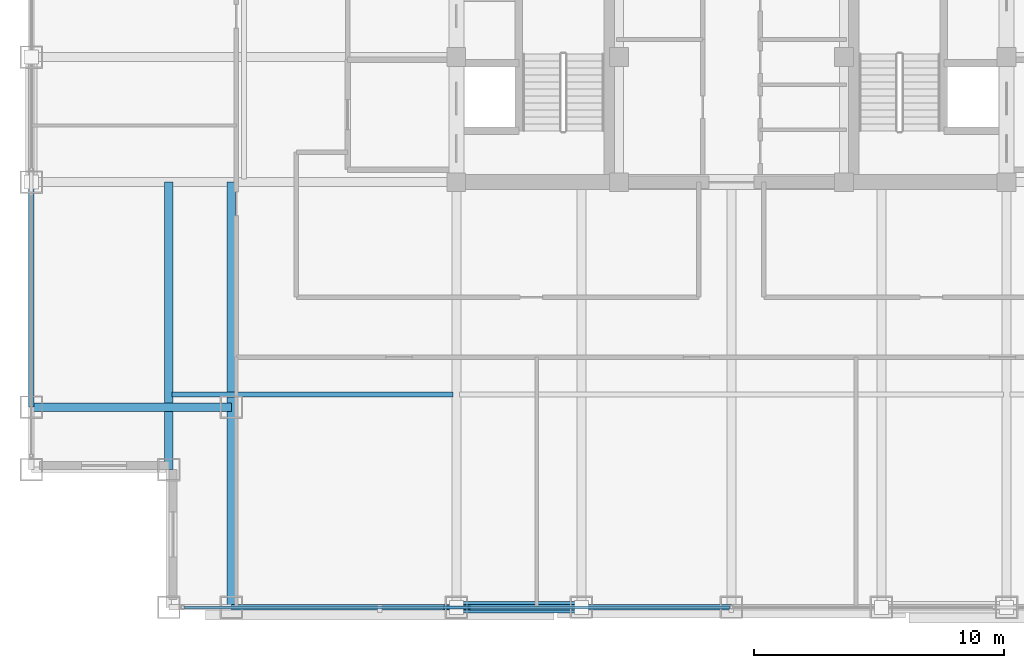
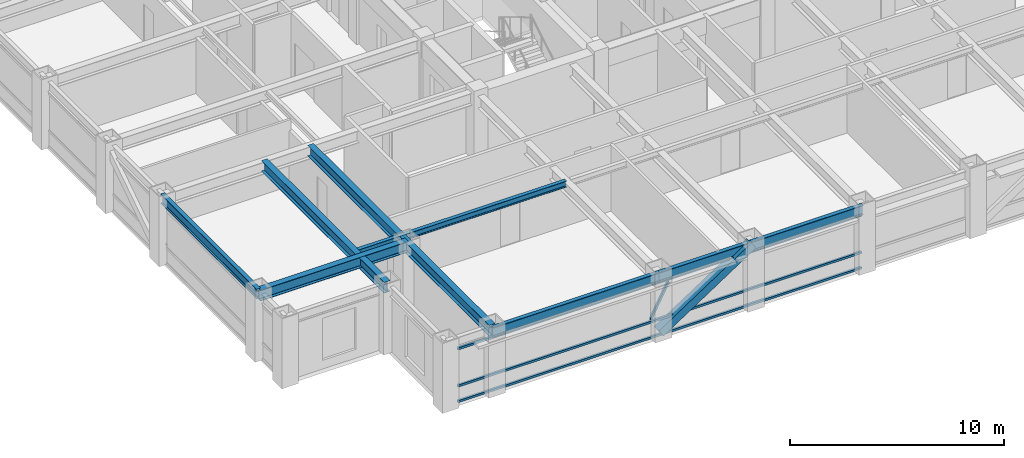
# One storey, part 3 of 27: 8 beams, 5 members, 1 element without a shape of its own.
"""IFC4 building model written with IfcOpenShell, lengths in metres."""

from ifc_helpers import new_model, si_unit, direction, frame, origin, origin_2d, place, context, subcontext, project, spatial, hollow_rectangle, i_section, extrude, source, transform, mapped, material, material_profile, profile_set, type_object, element, aggregate, save


model = new_model("IFC4")

# Units and contexts
model_context = context("Model", 3, precision=1e-05, world=origin(), true_north=direction((0.0, 1.0)))
body_context = subcontext(model_context, "Body", "Model", "MODEL_VIEW")
ifc_project = project(units=[si_unit("LENGTHUNIT", "METRE"), si_unit("AREAUNIT", "SQUARE_METRE"), si_unit("VOLUMEUNIT", "CUBIC_METRE"), si_unit("PLANEANGLEUNIT", "RADIAN"), si_unit("MASSUNIT", "GRAM", prefix="KILO")], contexts=[model_context])

# Site, building, storey
site_placement = place(None, origin())
site = spatial("IfcSite", under=ifc_project, at=site_placement, CompositionType="ELEMENT")
building_placement = place(site_placement, origin())
building = spatial("IfcBuilding", under=site, at=building_placement, Name="Khorayat Bourse Tower", CompositionType="ELEMENT")
storey_placement = place(building_placement, frame((0.0, 0.0, 317.5)))
storey = spatial("IfcBuildingStorey", under=building, at=storey_placement, Name="L75", CompositionType="ELEMENT", Elevation=317.5)

# Beam
ifc_material_1 = material(Name="Steel ASTM A992 Grade 50", Category="steel")
ifc_material_profile_1 = material_profile(ifc_material_1, i_section(OverallWidth=0.324951171875, OverallDepth=0.615966796875, WebThickness=0.013916015625, FlangeThickness=0.021484375, FilletRadius=0.01611328125, at=origin_2d()), Name="W610X174")
ifc_profile_set_1 = profile_set([ifc_material_profile_1], Name="Steel ASTM A992 Grade 50")
beam_type_1 = type_object("IfcBeamType", Name="BM-GIRD-610", PredefinedType="BEAM", material=ifc_profile_set_1)
shared_shape_1 = source(origin(), body_context, "Body", "SweptSolid", [
    extrude(i_section(OverallWidth=0.324951171875, OverallDepth=0.615966796875, WebThickness=0.013916015625, FlangeThickness=0.021484375, FilletRadius=0.01611328125, at=origin_2d()), origin(), (0.0, 0.0, 1.0), 17.0),
])
beam_1_placement = place(storey_placement, frame((-20.0, -28.0, 3.471923828125), z_axis=(0.0, 1.0, 0.0), x_axis=(-1.0, 0.0, 0.0)))
element("IfcBeam", 1, at=beam_1_placement, inside=storey, type_object=beam_type_1, Name="L75 BM-GIRD-610 BM-L75-CNRY-084", PredefinedType="BEAM", context=body_context, shape_type="MappedRepresentation", body=[
    mapped(shared_shape_1, transform((0.0, 0.0, 0.0), scale=1.0)),
])

# Member
ifc_material_2 = material(Name="Steel EN 10025-4 S460M", Category="steel")
ifc_material_profile_2 = material_profile(ifc_material_2, hollow_rectangle(XDim=0.449951171875, YDim=0.449951171875, WallThickness=0.02490234375, at=origin_2d()), Name="HSS 450x450x25")
ifc_profile_set_2 = profile_set([ifc_material_profile_2], Name="Steel EN 10025-4 S460M")
member_type_1 = type_object("IfcMemberType", Name="MBR-TUBE-450", PredefinedType="BRACE", material=ifc_profile_set_2)
shared_shape_2 = source(origin(), body_context, "Body", "SweptSolid", [
    extrude(hollow_rectangle(XDim=0.449951171875, YDim=0.449951171875, WallThickness=0.02490234375, at=origin_2d()), origin(), (0.0, 0.0, 1.0), 5.979736328125),
])
member_1_placement = place(storey_placement, frame((-11.0, -28.0, 0.25), z_axis=(0.836141536525, 0.0, 0.548513747227), x_axis=(0.0, 1.0, 0.0)))
element("IfcMember", 2, at=member_1_placement, inside=storey, type_object=member_type_1, Name="L75 Perimeter Tube Brace 01", PredefinedType="BRACE", context=body_context, shape_type="MappedRepresentation", body=[
    mapped(shared_shape_2, transform((0.0, 0.0, 0.0), scale=1.0)),
])

# Beams
shared_shape_3 = source(origin(), body_context, "Body", "SweptSolid", [
    extrude(i_section(OverallWidth=0.324951171875, OverallDepth=0.615966796875, WebThickness=0.013916015625, FlangeThickness=0.021484375, FilletRadius=0.01611328125, at=origin_2d()), origin(), (0.0, 0.0, 1.0), 11.5),
])
beam_2_placement = place(storey_placement, frame((-22.5, -22.5, 3.471923828125), z_axis=(0.0, 1.0, 0.0), x_axis=(-1.0, 0.0, 0.0)))
element("IfcBeam", 3, at=beam_2_placement, inside=storey, type_object=beam_type_1, Name="L75 BM-GIRD-610 BM-L75-CNRY-088", PredefinedType="BEAM", context=body_context, shape_type="MappedRepresentation", body=[
    mapped(shared_shape_3, transform((0.0, 0.0, 0.0), scale=1.0)),
])
shared_shape_4 = source(origin(), body_context, "Body", "SweptSolid", [
    extrude(i_section(OverallWidth=0.324951171875, OverallDepth=0.615966796875, WebThickness=0.013916015625, FlangeThickness=0.021484375, FilletRadius=0.01611328125, at=origin_2d()), origin(), (0.0, 0.0, 1.0), 8.0),
])
beam_3_placement = place(storey_placement, frame((-28.0, -20.0, 3.471923828125), z_axis=(1.0, 0.0, 0.0), x_axis=(0.0, 1.0, 0.0)))
element("IfcBeam", 4, at=beam_3_placement, inside=storey, type_object=beam_type_1, Name="L75 BM-GIRD-610 BM-L75-CNRX-093", PredefinedType="BEAM", context=body_context, shape_type="MappedRepresentation", body=[
    mapped(shared_shape_4, transform((0.0, 0.0, 0.0), scale=1.0)),
])
ifc_material_profile_3 = material_profile(ifc_material_1, i_section(OverallWidth=0.202880859375, OverallDepth=0.346923828125, WebThickness=0.0078125, FlangeThickness=0.013427734375, FilletRadius=0.010009765625, at=origin_2d()), Name="W360X64")
ifc_profile_set_3 = profile_set([ifc_material_profile_3], Name="Steel ASTM A992 Grade 50")
beam_type_2 = type_object("IfcBeamType", Name="BM-JOIST-360", PredefinedType="JOIST", material=ifc_profile_set_3)
shared_shape_5 = source(origin(), body_context, "Body", "SweptSolid", [
    extrude(i_section(OverallWidth=0.202880859375, OverallDepth=0.346923828125, WebThickness=0.0078125, FlangeThickness=0.013427734375, FilletRadius=0.010009765625, at=origin_2d()), origin(), (0.0, 0.0, 1.0), 11.240234375),
])
beam_4_placement = place(storey_placement, frame((-22.3701171875, -19.5, 3.6064453125), z_axis=(1.0, 0.0, 0.0), x_axis=(0.0, 1.0, 0.0)))
element("IfcBeam", 5, at=beam_4_placement, inside=storey, type_object=beam_type_2, Name="L75 BM-JOIST-360 BM-L75-JSTX-096", PredefinedType="JOIST", context=body_context, shape_type="MappedRepresentation", body=[
    mapped(shared_shape_5, transform((0.0, 0.0, 0.0), scale=1.0)),
])
ifc_material_profile_4 = material_profile(ifc_material_1, i_section(OverallWidth=0.214111328125, OverallDepth=0.549072265625, WebThickness=0.0146484375, FlangeThickness=0.023681640625, FilletRadius=0.013916015625, at=origin_2d()), Name="W530X138")
ifc_profile_set_4 = profile_set([ifc_material_profile_4], Name="Steel ASTM A992 Grade 50")
beam_type_3 = type_object("IfcBeamType", Name="BM-SPAN-530", PredefinedType="SPANDREL", material=ifc_profile_set_4)
shared_shape_6 = source(origin(), body_context, "Body", "SweptSolid", [
    extrude(i_section(OverallWidth=0.214111328125, OverallDepth=0.549072265625, WebThickness=0.0146484375, FlangeThickness=0.023681640625, FilletRadius=0.013916015625, at=origin_2d()), origin(), (0.0, 0.0, 1.0), 9.0),
])
for number, where, z_axis, x_axis, name in (
    (6, (-20.0, -28.0, 3.385498046875), (1.0, 0.0, 0.0), (0.0, 1.0, 0.0), "L75 BM-SPAN-530 BM-L75-SPN-025"),
    (7, (-28.0, -20.0, 3.505615234375), (0.0, 1.0, 0.0), (-1.0, 0.0, 0.0), "L75 BM-SPAN-530 BM-L75-SPN-060"),
):
    element("IfcBeam", number, at=place(storey_placement, frame(where, z_axis=z_axis, x_axis=x_axis)), inside=storey, type_object=beam_type_3, Name=name, PredefinedType="SPANDREL", context=body_context, shape_type="MappedRepresentation", body=[
        mapped(shared_shape_6, transform((0.0, 0.0, 0.0), scale=1.0)),
    ])
shared_shape_7 = source(origin(), body_context, "Body", "SweptSolid", [
    extrude(i_section(OverallWidth=0.214111328125, OverallDepth=0.549072265625, WebThickness=0.0146484375, FlangeThickness=0.023681640625, FilletRadius=0.013916015625, at=origin_2d()), origin(), (0.0, 0.0, 1.0), 5.0),
])
beam_5_placement = place(storey_placement, frame((-11.0, -28.0, 3.385498046875), z_axis=(1.0, 0.0, 0.0), x_axis=(0.0, 1.0, 0.0)))
element("IfcBeam", 8, at=beam_5_placement, inside=storey, type_object=beam_type_3, Name="L75 BM-SPAN-530 BM-L75-SPN-026", PredefinedType="SPANDREL", context=body_context, shape_type="MappedRepresentation", body=[
    mapped(shared_shape_7, transform((0.0, 0.0, 0.0), scale=1.0)),
])
shared_shape_8 = source(origin(), body_context, "Body", "SweptSolid", [
    extrude(i_section(OverallWidth=0.214111328125, OverallDepth=0.549072265625, WebThickness=0.0146484375, FlangeThickness=0.023681640625, FilletRadius=0.013916015625, at=origin_2d()), origin(), (0.0, 0.0, 1.0), 6.0),
])
beam_6_placement = place(storey_placement, frame((-6.0, -28.0, 3.385498046875), z_axis=(1.0, 0.0, 0.0), x_axis=(0.0, 1.0, 0.0)))
element("IfcBeam", 9, at=beam_6_placement, inside=storey, type_object=beam_type_3, Name="L75 BM-SPAN-530 BM-L75-SPN-027", PredefinedType="SPANDREL", context=body_context, shape_type="MappedRepresentation", body=[
    mapped(shared_shape_8, transform((0.0, 0.0, 0.0), scale=1.0)),
])

# Curtain wall, members
ifc_material_3 = material(Name="Aluminium EN AW-6063 T6", Category="aluminium")
curtain_wall_type = type_object("IfcCurtainWallType", Name="CW-SYS-04", PredefinedType="NOTDEFINED", material=ifc_material_3)
curtain_wall_placement = place(storey_placement, origin())
curtain_wall = element("IfcCurtainWall", 10, at=curtain_wall_placement, inside=storey, type_object=curtain_wall_type, Name="L75 Curtain Wall CW-L75-S1", PredefinedType="NOTDEFINED")
ifc_material_profile_5 = material_profile(ifc_material_3, hollow_rectangle(XDim=0.1201171875, YDim=0.1201171875, WallThickness=0.0048828125, at=origin_2d()), Name="ALU 120x120x5")
ifc_profile_set_5 = profile_set([ifc_material_profile_5], Name="Aluminium EN AW-6063 T6")
member_type_2 = type_object("IfcMemberType", Name="CWM-DIAG-120", PredefinedType="MULLION", material=ifc_profile_set_5)
shared_shape_9 = source(origin(), body_context, "Body", "SweptSolid", [
    extrude(hollow_rectangle(XDim=0.1201171875, YDim=0.1201171875, WallThickness=0.0048828125, at=origin_2d()), origin(), (0.0, 0.0, 1.0), 2.0791015625),
])
member_2_placement = place(storey_placement, frame((-11.4541015625, -28.0, 1.090087890625), z_axis=(0.465717394116, 0.0, 0.884933505309), x_axis=(0.0, 1.0, 0.0)))
member_2 = element("IfcMember", 11, at=member_2_placement, type_object=member_type_2, Name="CW-L75-S1 Faceted Diagonal Mullion 1", PredefinedType="MULLION", context=body_context, shape_type="MappedRepresentation", body=[
    mapped(shared_shape_9, transform((0.0, 0.0, 0.0), scale=1.0)),
])
ifc_material_profile_6 = material_profile(ifc_material_3, hollow_rectangle(XDim=0.1201171875, YDim=0.1201171875, WallThickness=0.0048828125, at=origin_2d()), Name="ALU 120x120x5")
ifc_profile_set_6 = profile_set([ifc_material_profile_6], Name="Aluminium EN AW-6063 T6")
member_type_3 = type_object("IfcMemberType", Name="CWT-HORZ-120", PredefinedType="USERDEFINED", material=ifc_profile_set_6)
shared_shape_10 = source(origin(), body_context, "Body", "SweptSolid", [
    extrude(hollow_rectangle(XDim=0.1201171875, YDim=0.1201171875, WallThickness=0.0048828125, at=origin_2d()), origin(), (0.0, 0.0, 1.0), 21.81982421875),
])
member_3_placement = place(storey_placement, frame((-21.8798828125, -28.0, 0.06005859375), z_axis=(1.0, 0.0, 0.0), x_axis=(0.0, 1.0, 0.0)))
member_3 = element("IfcMember", 12, at=member_3_placement, type_object=member_type_3, Name="CW-L75-S1 Horizontal Transom 1-1", ObjectType="TRANSOM", PredefinedType="USERDEFINED", context=body_context, shape_type="MappedRepresentation", body=[
    mapped(shared_shape_10, transform((0.0, 0.0, 0.0), scale=1.0)),
])
member_4_placement = place(storey_placement, frame((-21.8798828125, -28.0, 0.949951171875), z_axis=(1.0, 0.0, 0.0), x_axis=(0.0, 1.0, 0.0)))
member_4 = element("IfcMember", 13, at=member_4_placement, type_object=member_type_3, Name="CW-L75-S1 Horizontal Transom 1-2", ObjectType="TRANSOM", PredefinedType="USERDEFINED", context=body_context, shape_type="MappedRepresentation", body=[
    mapped(shared_shape_10, transform((0.0, 0.0, 0.0), scale=1.0)),
])
member_5_placement = place(storey_placement, frame((-21.8798828125, -28.0, 3.070068359375), z_axis=(1.0, 0.0, 0.0), x_axis=(0.0, 1.0, 0.0)))
member_5 = element("IfcMember", 14, at=member_5_placement, type_object=member_type_3, Name="CW-L75-S1 Horizontal Transom 1-3", ObjectType="TRANSOM", PredefinedType="USERDEFINED", context=body_context, shape_type="MappedRepresentation", body=[
    mapped(shared_shape_10, transform((0.0, 0.0, 0.0), scale=1.0)),
])
aggregate(curtain_wall, [member_3, member_4, member_5, member_2])

save(model, "model.ifc")
